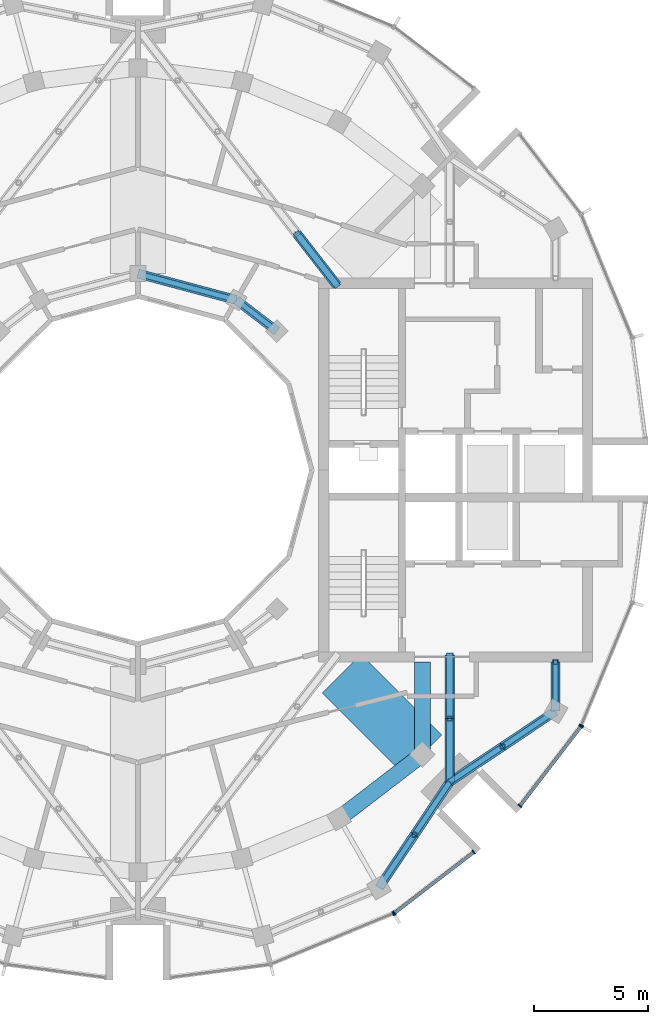
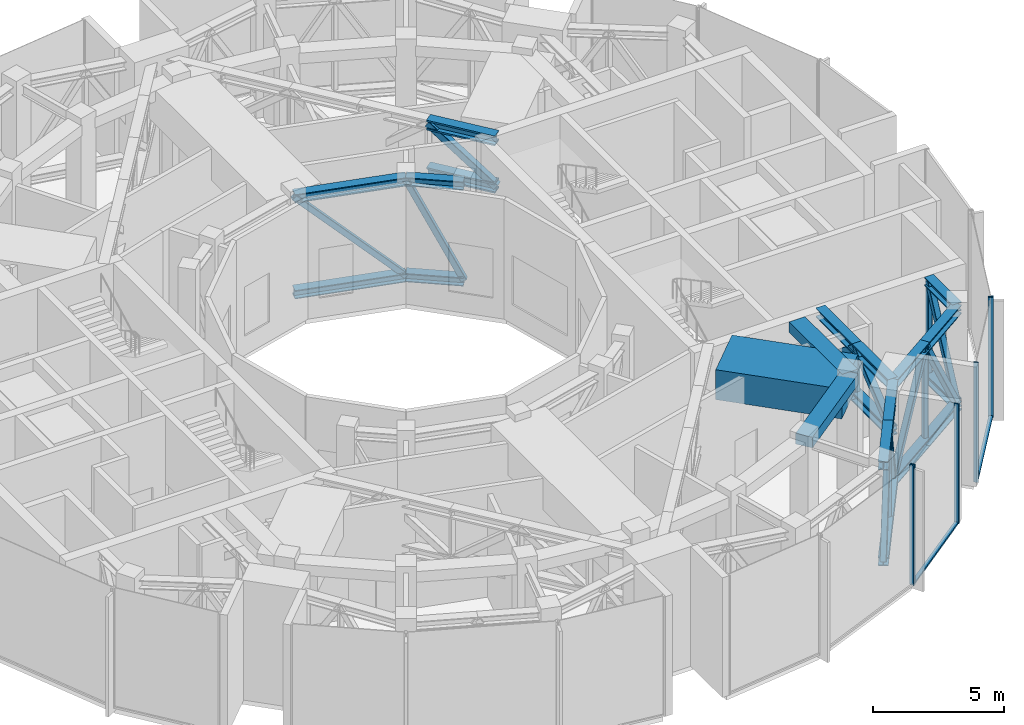
# One storey, part 5 of 17: 42 members, 3 beams, 4 elements without a shape of their own.
"""IFC4 building model written with IfcOpenShell, lengths in metres."""

from ifc_helpers import new_model, si_unit, direction, frame, origin, origin_2d, place, context, subcontext, project, spatial, rectangle, hollow_rectangle, i_section, extrude, material, layer, layer_set, material_profile, profile_set, type_object, element, aggregate, save


model = new_model("IFC4")

# Units and contexts
model_context = context("Model", 3, precision=1e-05, world=origin(), true_north=direction((0.0, 1.0)))
body_context = subcontext(model_context, "Body", "Model", "MODEL_VIEW")
ifc_project = project(units=[si_unit("LENGTHUNIT", "METRE"), si_unit("AREAUNIT", "SQUARE_METRE"), si_unit("VOLUMEUNIT", "CUBIC_METRE"), si_unit("PLANEANGLEUNIT", "RADIAN"), si_unit("MASSUNIT", "GRAM", prefix="KILO")], contexts=[model_context])

# Site, building, storey
site_placement = place(None, origin())
site = spatial("IfcSite", under=ifc_project, at=site_placement, CompositionType="ELEMENT")
building_placement = place(site_placement, origin())
building = spatial("IfcBuilding", under=site, at=building_placement, Name="Torre Brocal", CompositionType="ELEMENT")
storey_placement = place(building_placement, frame((0.0, 0.0, 309.300048828125)))
storey = spatial("IfcBuildingStorey", under=building, at=storey_placement, Name="L71", CompositionType="ELEMENT", Elevation=309.300048828125)

# Members
ifc_material_1 = material(Name="Steel A500 Grade C", Category="steel")
ifc_material_profile_1 = material_profile(ifc_material_1, hollow_rectangle(XDim=0.203125, YDim=0.203125, WallThickness=0.01171875, InnerFilletRadius=0.01171875, OuterFilletRadius=0.023681640625, at=origin_2d()), Name="HSS8X8X1/2")
ifc_profile_set_1 = profile_set([ifc_material_profile_1], Name="Steel A500 Grade C")
member_type_1 = type_object("IfcMemberType", Name="BELT 3 POST HSS8X8X1/2", PredefinedType="POST", material=ifc_profile_set_1)
for number, where, z_axis, x_axis, name in (
    (1, (92.0986328125, 59.039794921875, 0.599365234375), (0.0, 0.0, 1.0), (1.0, 0.0, 0.0), "Member BT3-P17"),
    (2, (95.960205078125, 62.9013671875, 0.599365234375), (0.0, 0.0, 1.0), (1.0, 0.0, 0.0), "Member BT3-P18"),
    (3, (98.273193359375, 66.60009765625, 0.599365234375), (0.0, 0.0, 1.0), (1.0, 0.0, 0.0), "Member BT3-P19"),
):
    element("IfcMember", number, at=place(storey_placement, frame(where, z_axis=z_axis, x_axis=x_axis)), inside=storey, type_object=member_type_1, Name=name, PredefinedType="POST", context=body_context, shape_type="SweptSolid", body=[
        extrude(hollow_rectangle(XDim=0.203125, YDim=0.203125, WallThickness=0.01171875, InnerFilletRadius=0.01171875, OuterFilletRadius=0.023681640625, at=origin_2d()), origin(), (0.0, 0.0, 1.0), 4.481201171875),
    ])

# Curtain wall, member
ifc_material_2 = material(Name="Aluminium and glass", Category="aluminium")
ifc_layer = layer(ifc_material_2, 0.199951171875)
ifc_layer_set = layer_set([ifc_layer], Name="Aluminium and glass")
curtain_wall_type = type_object("IfcCurtainWallType", Name="CW-1 CURTAIN WALL 5600 HIGH", PredefinedType="NOTDEFINED", material=ifc_layer_set)
curtain_wall_1_placement = place(storey_placement, origin())
curtain_wall_1 = element("IfcCurtainWall", 4, at=curtain_wall_1_placement, inside=storey, type_object=curtain_wall_type, Name="CW-1 RUN 20", PredefinedType="NOTDEFINED")
ifc_material_3 = material(Name="Aluminium, dark anodised", Category="aluminium")
ifc_material_profile_2 = material_profile(ifc_material_3, rectangle(XDim=0.199951171875, YDim=0.06005859375, at=origin_2d()), Name="CW-1 MULLION 60X200")
ifc_profile_set_2 = profile_set([ifc_material_profile_2], Name="Aluminium, dark anodised")
member_type_2 = type_object("IfcMemberType", Name="CW-1 MULLION 60X200", PredefinedType="MULLION", material=ifc_profile_set_2)
member_1_placement = place(storey_placement, frame((91.171875, 55.59033203125, 0.0), z_axis=(0.0, 0.0, 1.0), x_axis=(-0.382683432284, 0.923879532545, 0.0)))
member_1 = element("IfcMember", 5, at=member_1_placement, type_object=member_type_2, Name="CW1-2 mullion 2", PredefinedType="MULLION", context=body_context, shape_type="SweptSolid", body=[
    extrude(rectangle(XDim=0.199951171875, YDim=0.06005859375, at=origin_2d()), origin(), (0.0, 0.0, 1.0), 5.599853515625),
])
aggregate(curtain_wall_1, [member_1])

# Curtain wall, members
curtain_wall_2_placement = place(storey_placement, origin())
curtain_wall_2 = element("IfcCurtainWall", 6, at=curtain_wall_2_placement, inside=storey, type_object=curtain_wall_type, Name="CW-1 RUN 21", PredefinedType="NOTDEFINED")
member_2_placement = place(storey_placement, frame((91.223388671875, 55.6201171875, 0.0), z_axis=(0.0, 0.0, 1.0), x_axis=(-0.608761429064, 0.793353340249, 0.0)))
member_2 = element("IfcMember", 7, at=member_2_placement, type_object=member_type_2, Name="CW1-2 mullion 1", PredefinedType="MULLION", context=body_context, shape_type="SweptSolid", body=[
    extrude(rectangle(XDim=0.199951171875, YDim=0.06005859375, at=origin_2d()), origin(), (0.0, 0.0, 1.0), 5.599853515625),
])
member_3_placement = place(storey_placement, frame((94.694580078125, 58.283447265625, 0.0), z_axis=(0.0, 0.0, 1.0), x_axis=(-0.608761429064, 0.793353340249, 0.0)))
member_3 = element("IfcMember", 8, at=member_3_placement, type_object=member_type_2, Name="CW1-2 mullion 2", PredefinedType="MULLION", context=body_context, shape_type="SweptSolid", body=[
    extrude(rectangle(XDim=0.199951171875, YDim=0.06005859375, at=origin_2d()), origin(), (0.0, 0.0, 1.0), 5.599853515625),
])

curtain_wall_3_placement = place(storey_placement, origin())
curtain_wall_3 = element("IfcCurtainWall", 9, at=curtain_wall_3_placement, inside=storey, type_object=curtain_wall_type, Name="CW-1 RUN 22", PredefinedType="NOTDEFINED")
member_4_placement = place(storey_placement, frame((96.716552734375, 60.305419921875, 0.0), z_axis=(0.0, 0.0, 1.0), x_axis=(-0.793353340249, 0.608761429064, 0.0)))
member_4 = element("IfcMember", 10, at=member_4_placement, type_object=member_type_2, Name="CW1-2 mullion 1", PredefinedType="MULLION", context=body_context, shape_type="SweptSolid", body=[
    extrude(rectangle(XDim=0.199951171875, YDim=0.06005859375, at=origin_2d()), origin(), (0.0, 0.0, 1.0), 5.599853515625),
])
member_5_placement = place(storey_placement, frame((99.3798828125, 63.776611328125, 0.0), z_axis=(0.0, 0.0, 1.0), x_axis=(-0.793353340249, 0.608761429064, 0.0)))
member_5 = element("IfcMember", 11, at=member_5_placement, type_object=member_type_2, Name="CW1-2 mullion 2", PredefinedType="MULLION", context=body_context, shape_type="SweptSolid", body=[
    extrude(rectangle(XDim=0.199951171875, YDim=0.06005859375, at=origin_2d()), origin(), (0.0, 0.0, 1.0), 5.599853515625),
])

# Curtain wall, member
curtain_wall_4_placement = place(storey_placement, origin())
curtain_wall_4 = element("IfcCurtainWall", 12, at=curtain_wall_4_placement, inside=storey, type_object=curtain_wall_type, Name="CW-1 RUN 23", PredefinedType="NOTDEFINED")
member_6_placement = place(storey_placement, frame((99.40966796875, 63.828125, 0.0), z_axis=(0.0, 0.0, 1.0), x_axis=(-0.923879532545, 0.382683432284, 0.0)))
member_6 = element("IfcMember", 13, at=member_6_placement, type_object=member_type_2, Name="CW1-2 mullion 1", PredefinedType="MULLION", context=body_context, shape_type="SweptSolid", body=[
    extrude(rectangle(XDim=0.199951171875, YDim=0.06005859375, at=origin_2d()), origin(), (0.0, 0.0, 1.0), 5.599853515625),
])
aggregate(curtain_wall_4, [member_6])

# Member
ifc_material_4 = material(Name="Aluminium, dark anodised", Category="aluminium")
ifc_material_profile_3 = material_profile(ifc_material_4, rectangle(XDim=0.159912109375, YDim=0.080078125, at=origin_2d()), Name="CW-1 TRANSOM 160X80")
ifc_profile_set_3 = profile_set([ifc_material_profile_3], Name="Aluminium, dark anodised")
member_type_3 = type_object("IfcMemberType", Name="CW-1 TRANSOM 160X80", PredefinedType="USERDEFINED", material=ifc_profile_set_3)
member_7_placement = place(storey_placement, frame((91.2470703125, 55.63818359375, 0.0400390625), z_axis=(0.793332201462, 0.608788976677, 0.0), x_axis=(-0.608788976677, 0.793332201462, 0.0)))
member_7 = element("IfcMember", 14, at=member_7_placement, type_object=member_type_3, Name="CW1-2 transom 1.1", ObjectType="TRANSOM", PredefinedType="USERDEFINED", context=body_context, shape_type="SweptSolid", body=[
    extrude(rectangle(XDim=0.159912109375, YDim=0.080078125, at=origin_2d()), origin(), (0.0, 0.0, 1.0), 4.3154296875),
])

aggregate(curtain_wall_2, [member_2, member_3, member_7])

member_8_placement = place(storey_placement, frame((96.734619140625, 60.329345703125, 0.0400390625), z_axis=(0.608788976677, 0.793332201462, 0.0), x_axis=(-0.793332201462, 0.608788976677, 0.0)))
member_8 = element("IfcMember", 15, at=member_8_placement, type_object=member_type_3, Name="CW1-2 transom 1.1", ObjectType="TRANSOM", PredefinedType="USERDEFINED", context=body_context, shape_type="SweptSolid", body=[
    extrude(rectangle(XDim=0.159912109375, YDim=0.080078125, at=origin_2d()), origin(), (0.0, 0.0, 1.0), 4.3154296875),
])

aggregate(curtain_wall_3, [member_4, member_5, member_8])

ifc_material_5 = material(Name="Steel A500 Grade C", Category="steel")
ifc_material_profile_4 = material_profile(ifc_material_5, hollow_rectangle(XDim=0.203125, YDim=0.203125, WallThickness=0.01171875, InnerFilletRadius=0.01171875, OuterFilletRadius=0.023681640625, at=origin_2d()), Name="HSS8X8X1/2")
ifc_profile_set_4 = profile_set([ifc_material_profile_4], Name="Steel A500 Grade C")
member_type_4 = type_object("IfcMemberType", Name="OUTRIGGER 3 POST HSS8X8X1/2", PredefinedType="POST", material=ifc_profile_set_4)
member_9_placement = place(storey_placement, frame((93.647216796875, 64.12646484375, 2.817138671875), z_axis=(0.0, 0.0, 1.0), x_axis=(1.0, 0.0, 0.0)))
element("IfcMember", 16, at=member_9_placement, inside=storey, type_object=member_type_4, Name="Member OT3-P20", PredefinedType="POST", context=body_context, shape_type="SweptSolid", body=[
    extrude(hollow_rectangle(XDim=0.203125, YDim=0.203125, WallThickness=0.01171875, InnerFilletRadius=0.01171875, OuterFilletRadius=0.023681640625, at=origin_2d()), origin(), (0.0, 0.0, 1.0), 2.24560546875),
])

# Beams
ifc_material_6 = material(Name="Concrete C50", Category="concrete")
ifc_material_profile_5 = material_profile(ifc_material_6, rectangle(XDim=0.699951171875, YDim=0.5, at=origin_2d()), Name="RC 700X500")
ifc_profile_set_5 = profile_set([ifc_material_profile_5], Name="Concrete C50")
beam_type_1 = type_object("IfcBeamType", Name="RC BEAM 700X500 C50 TOP 5280", PredefinedType="BEAM", material=ifc_profile_set_5)
beam_1_placement = place(storey_placement, frame((88.800048828125, 59.758056640625, 5.030029296875), z_axis=(0.793358265959, 0.6087550097, 0.0), x_axis=(-0.6087550097, 0.793358265959, 0.0)))
element("IfcBeam", 17, at=beam_1_placement, inside=storey, type_object=beam_type_1, Name="Beam BT-36", PredefinedType="BEAM", context=body_context, shape_type="SweptSolid", body=[
    extrude(rectangle(XDim=0.699951171875, YDim=0.5, at=origin_2d()), origin(), (0.0, 0.0, 1.0), 4.594482421875),
])
beam_2_placement = place(storey_placement, frame((92.445068359375, 62.554931640625, 5.030029296875), z_axis=(0.0, 1.0, 0.0), x_axis=(-1.0, 0.0, 0.0)))
element("IfcBeam", 18, at=beam_2_placement, inside=storey, type_object=beam_type_1, Name="Beam BT-36", PredefinedType="BEAM", context=body_context, shape_type="SweptSolid", body=[
    extrude(rectangle(XDim=0.699951171875, YDim=0.5, at=origin_2d()), origin(), (0.0, 0.0, 1.0), 4.045166015625),
])
ifc_material_7 = material(Name="Concrete C60", Category="concrete")
ifc_material_profile_6 = material_profile(ifc_material_7, rectangle(XDim=2.39990234375, YDim=1.39990234375, at=origin_2d()), Name="RC 2400X1400")
ifc_profile_set_6 = profile_set([ifc_material_profile_6], Name="Concrete C60")
beam_type_2 = type_object("IfcBeamType", Name="RC TRANSFER GIRDER 2400X1400 C60 TOP 5280", PredefinedType="BEAM", material=ifc_profile_set_6)
beam_3_placement = place(storey_placement, frame((88.909423828125, 66.090576171875, 4.579833984375), z_axis=(0.707106781187, -0.707106781187, 0.0), x_axis=(0.707106781187, 0.707106781187, 0.0)))
element("IfcBeam", 19, at=beam_3_placement, inside=storey, type_object=beam_type_2, Name="Beam TG-09", PredefinedType="BEAM", context=body_context, shape_type="SweptSolid", body=[
    extrude(rectangle(XDim=2.39990234375, YDim=1.39990234375, at=origin_2d()), origin(), (0.0, 0.0, 1.0), 5.000244140625),
])

# Members
ifc_material_8 = material(Name="Steel A992", Category="steel")
ifc_material_profile_7 = material_profile(ifc_material_8, i_section(OverallWidth=0.4013671875, OverallDepth=0.398681640625, WebThickness=0.02490234375, FlangeThickness=0.03955078125, at=origin_2d()), Name="W14X211")
ifc_profile_set_7 = profile_set([ifc_material_profile_7], Name="Steel A992")
member_type_5 = type_object("IfcMemberType", Name="TRUSS BOTTOM CHORD W14X211", PredefinedType="CHORD", material=ifc_profile_set_7)
for number, where, z_axis, x_axis, name in (
    (20, (90.550048828125, 56.726806640625, 0.599365234375), (0.556338604247, 0.830955689206, 0.0), (-0.830955689206, 0.556338604247, 0.0), "Member BT3-C62"),
    (21, (92.0986328125, 59.039794921875, 0.599365234375), (0.556338604247, 0.830955689206, 0.0), (-0.830955689206, 0.556338604247, 0.0), "Member BT3-C64"),
    (22, (93.647216796875, 61.352783203125, 0.599365234375), (0.830955689206, 0.556338604247, 0.0), (-0.556338604247, 0.830955689206, 0.0), "Member BT3-C66"),
    (23, (95.960205078125, 62.9013671875, 0.599365234375), (0.830955689206, 0.556338604247, 0.0), (-0.556338604247, 0.830955689206, 0.0), "Member BT3-C68"),
):
    element("IfcMember", number, at=place(storey_placement, frame(where, z_axis=z_axis, x_axis=x_axis)), inside=storey, type_object=member_type_5, Name=name, PredefinedType="CHORD", context=body_context, shape_type="SweptSolid", body=[
        extrude(i_section(OverallWidth=0.4013671875, OverallDepth=0.398681640625, WebThickness=0.02490234375, FlangeThickness=0.03955078125, at=origin_2d()), origin(), (0.0, 0.0, 1.0), 2.783447265625),
    ])
member_10_placement = place(storey_placement, frame((98.273193359375, 64.449951171875, 0.599365234375), z_axis=(0.0, 1.0, 0.0), x_axis=(-1.0, 0.0, 0.0)))
element("IfcMember", 24, at=member_10_placement, inside=storey, type_object=member_type_5, Name="Member BT3-C70", PredefinedType="CHORD", context=body_context, shape_type="SweptSolid", body=[
    extrude(i_section(OverallWidth=0.4013671875, OverallDepth=0.398681640625, WebThickness=0.02490234375, FlangeThickness=0.03955078125, at=origin_2d()), origin(), (0.0, 0.0, 1.0), 2.150146484375),
])
member_11_placement = place(storey_placement, frame((86.0810546875, 81.0810546875, 0.599365234375), z_axis=(-0.793334976885, 0.608785359918, 0.0), x_axis=(-0.608785359918, -0.793334976885, 0.0)))
element("IfcMember", 25, at=member_11_placement, inside=storey, type_object=member_type_5, Name="Member BT3-C74", PredefinedType="CHORD", context=body_context, shape_type="SweptSolid", body=[
    extrude(i_section(OverallWidth=0.4013671875, OverallDepth=0.398681640625, WebThickness=0.02490234375, FlangeThickness=0.03955078125, at=origin_2d()), origin(), (0.0, 0.0, 1.0), 2.244873046875),
])
member_12_placement = place(storey_placement, frame((84.300048828125, 82.44775390625, 0.599365234375), z_axis=(-0.965917450527, 0.25885030185, 0.0), x_axis=(-0.25885030185, -0.965917450527, 0.0)))
element("IfcMember", 26, at=member_12_placement, inside=storey, type_object=member_type_5, Name="Member BT3-C76", PredefinedType="CHORD", context=body_context, shape_type="SweptSolid", body=[
    extrude(i_section(OverallWidth=0.4013671875, OverallDepth=0.398681640625, WebThickness=0.02490234375, FlangeThickness=0.03955078125, at=origin_2d()), origin(), (0.0, 0.0, 1.0), 4.45166015625),
])
ifc_material_9 = material(Name="Steel A992", Category="steel")
ifc_material_profile_8 = material_profile(ifc_material_9, i_section(OverallWidth=0.41162109375, OverallDepth=0.434326171875, WebThickness=0.035888671875, FlangeThickness=0.057373046875, at=origin_2d()), Name="W14X311")
ifc_profile_set_8 = profile_set([ifc_material_profile_8], Name="Steel A992")
member_type_6 = type_object("IfcMemberType", Name="TRUSS BOTTOM CHORD W14X311", PredefinedType="CHORD", material=ifc_profile_set_8)
member_13_placement = place(storey_placement, frame((93.647216796875, 66.89990234375, 2.817138671875), z_axis=(0.0, -1.0, 0.0), x_axis=(1.0, 0.0, 0.0)))
element("IfcMember", 27, at=member_13_placement, inside=storey, type_object=member_type_6, Name="Member OT3-C54", PredefinedType="CHORD", context=body_context, shape_type="SweptSolid", body=[
    extrude(i_section(OverallWidth=0.41162109375, OverallDepth=0.434326171875, WebThickness=0.035888671875, FlangeThickness=0.057373046875, at=origin_2d()), origin(), (0.0, 0.0, 1.0), 2.7734375),
])
member_14_placement = place(storey_placement, frame((93.647216796875, 64.12646484375, 2.817138671875), z_axis=(0.0, -1.0, 0.0), x_axis=(1.0, 0.0, 0.0)))
element("IfcMember", 28, at=member_14_placement, inside=storey, type_object=member_type_6, Name="Member OT3-C56", PredefinedType="CHORD", context=body_context, shape_type="SweptSolid", body=[
    extrude(i_section(OverallWidth=0.41162109375, OverallDepth=0.434326171875, WebThickness=0.035888671875, FlangeThickness=0.057373046875, at=origin_2d()), origin(), (0.0, 0.0, 1.0), 2.773681640625),
])
ifc_material_10 = material(Name="Steel A992", Category="steel")
ifc_material_profile_9 = material_profile(ifc_material_10, i_section(OverallWidth=0.421630859375, OverallDepth=0.46484375, WebThickness=0.044921875, FlangeThickness=0.072509765625, at=origin_2d()), Name="W14X398")
ifc_profile_set_9 = profile_set([ifc_material_profile_9], Name="Steel A992")
member_type_7 = type_object("IfcMemberType", Name="TRUSS BOTTOM CHORD W14X398", PredefinedType="CHORD", material=ifc_profile_set_9)
member_15_placement = place(storey_placement, frame((88.699951171875, 83.10009765625, 2.832275390625), z_axis=(-0.613451858445, 0.789732117474, 0.0), x_axis=(-0.789732117474, -0.613451858445, 0.0)))
element("IfcMember", 29, at=member_15_placement, inside=storey, type_object=member_type_7, Name="Member OT3-C06", PredefinedType="CHORD", context=body_context, shape_type="SweptSolid", body=[
    extrude(i_section(OverallWidth=0.421630859375, OverallDepth=0.46484375, WebThickness=0.044921875, FlangeThickness=0.072509765625, at=origin_2d()), origin(), (0.0, 0.0, 1.0), 2.83642578125),
])
ifc_material_11 = material(Name="Steel A500 Grade C", Category="steel")
ifc_material_profile_10 = material_profile(ifc_material_11, hollow_rectangle(XDim=0.25390625, YDim=0.25390625, WallThickness=0.01171875, InnerFilletRadius=0.01171875, OuterFilletRadius=0.023681640625, at=origin_2d()), Name="HSS10X10X1/2")
ifc_profile_set_10 = profile_set([ifc_material_profile_10], Name="Steel A500 Grade C")
member_type_8 = type_object("IfcMemberType", Name="TRUSS DIAGONAL HSS10X10X1/2", PredefinedType="BRACE", material=ifc_profile_set_10)
for number, where, z_axis, x_axis, name in (
    (30, (90.550048828125, 56.726806640625, 0.599365234375), (0.293551613622, 0.438453095926, 0.849462378692), (-0.830955689206, 0.556338604247, 0.0), "Member BT3-D31"),
    (31, (92.0986328125, 59.039794921875, 5.08056640625), (0.293551613622, 0.438453095926, -0.849462378692), (-0.830955689206, 0.556338604247, 0.0), "Member BT3-D32"),
    (32, (93.647216796875, 61.352783203125, 0.599365234375), (0.438453095926, 0.293551613622, 0.849462378692), (-0.556338604247, 0.830955689206, 0.0), "Member BT3-D33"),
    (33, (95.960205078125, 62.9013671875, 5.08056640625), (0.438453095926, 0.293551613622, -0.849462378692), (-0.556338604247, 0.830955689206, 0.0), "Member BT3-D34"),
):
    element("IfcMember", number, at=place(storey_placement, frame(where, z_axis=z_axis, x_axis=x_axis)), inside=storey, type_object=member_type_8, Name=name, PredefinedType="BRACE", context=body_context, shape_type="SweptSolid", body=[
        extrude(hollow_rectangle(XDim=0.25390625, YDim=0.25390625, WallThickness=0.01171875, InnerFilletRadius=0.01171875, OuterFilletRadius=0.023681640625, at=origin_2d()), origin(), (0.0, 0.0, 1.0), 5.275390625),
    ])
member_16_placement = place(storey_placement, frame((98.273193359375, 64.449951171875, 0.599365234375), z_axis=(0.0, 0.432595329375, 0.901588199237), x_axis=(-1.0, 0.0, 0.0)))
element("IfcMember", 34, at=member_16_placement, inside=storey, type_object=member_type_8, Name="Member BT3-D35", PredefinedType="BRACE", context=body_context, shape_type="SweptSolid", body=[
    extrude(hollow_rectangle(XDim=0.25390625, YDim=0.25390625, WallThickness=0.01171875, InnerFilletRadius=0.01171875, OuterFilletRadius=0.023681640625, at=origin_2d()), origin(), (0.0, 0.0, 1.0), 4.970458984375),
])
member_17_placement = place(storey_placement, frame((86.0810546875, 81.0810546875, 0.599365234375), z_axis=(-0.355342192665, 0.272680684652, 0.894078950837), x_axis=(-0.608785359918, -0.793334976885, 0.0)))
element("IfcMember", 35, at=member_17_placement, inside=storey, type_object=member_type_8, Name="Member BT3-D37", PredefinedType="BRACE", context=body_context, shape_type="SweptSolid", body=[
    extrude(hollow_rectangle(XDim=0.25390625, YDim=0.25390625, WallThickness=0.01171875, InnerFilletRadius=0.01171875, OuterFilletRadius=0.023681640625, at=origin_2d()), origin(), (0.0, 0.0, 1.0), 5.01220703125),
])
member_18_placement = place(storey_placement, frame((84.300048828125, 82.44775390625, 0.599365234375), z_axis=(-0.680753322076, 0.182430913541, 0.709432080094), x_axis=(-0.25885030185, -0.965917450527, 0.0)))
element("IfcMember", 36, at=member_18_placement, inside=storey, type_object=member_type_8, Name="Member BT3-D38", PredefinedType="BRACE", context=body_context, shape_type="SweptSolid", body=[
    extrude(hollow_rectangle(XDim=0.25390625, YDim=0.25390625, WallThickness=0.01171875, InnerFilletRadius=0.01171875, OuterFilletRadius=0.023681640625, at=origin_2d()), origin(), (0.0, 0.0, 1.0), 6.316650390625),
])
ifc_material_12 = material(Name="Steel A500 Grade C", Category="steel")
ifc_material_profile_11 = material_profile(ifc_material_12, hollow_rectangle(XDim=0.3046875, YDim=0.3046875, WallThickness=0.014892578125, InnerFilletRadius=0.014892578125, OuterFilletRadius=0.029541015625, at=origin_2d()), Name="HSS12X12X5/8")
ifc_profile_set_11 = profile_set([ifc_material_profile_11], Name="Steel A500 Grade C")
member_type_9 = type_object("IfcMemberType", Name="TRUSS DIAGONAL HSS12X12X5/8", PredefinedType="BRACE", material=ifc_profile_set_11)
member_19_placement = place(storey_placement, frame((88.699951171875, 83.10009765625, 2.832275390625), z_axis=(-0.483464594084, 0.622391981299, 0.615540581832), x_axis=(-0.789732117474, -0.613451858445, 0.0)))
element("IfcMember", 37, at=member_19_placement, inside=storey, type_object=member_type_9, Name="Member OT3-D03", PredefinedType="BRACE", context=body_context, shape_type="SweptSolid", body=[
    extrude(hollow_rectangle(XDim=0.3046875, YDim=0.3046875, WallThickness=0.014892578125, InnerFilletRadius=0.014892578125, OuterFilletRadius=0.029541015625, at=origin_2d()), origin(), (0.0, 0.0, 1.0), 3.59912109375),
])
member_20_placement = place(storey_placement, frame((93.647216796875, 66.89990234375, 2.817138671875), z_axis=(0.0, -0.777184325305, 0.62927301269), x_axis=(1.0, 0.0, 0.0)))
element("IfcMember", 38, at=member_20_placement, inside=storey, type_object=member_type_9, Name="Member OT3-D27", PredefinedType="BRACE", context=body_context, shape_type="SweptSolid", body=[
    extrude(hollow_rectangle(XDim=0.3046875, YDim=0.3046875, WallThickness=0.014892578125, InnerFilletRadius=0.014892578125, OuterFilletRadius=0.029541015625, at=origin_2d()), origin(), (0.0, 0.0, 1.0), 3.568603515625),
])
member_21_placement = place(storey_placement, frame((93.647216796875, 64.12646484375, 5.062744140625), z_axis=(0.0, -0.777211414075, -0.629239555203), x_axis=(1.0, 0.0, 0.0)))
element("IfcMember", 39, at=member_21_placement, inside=storey, type_object=member_type_9, Name="Member OT3-D28", PredefinedType="BRACE", context=body_context, shape_type="SweptSolid", body=[
    extrude(hollow_rectangle(XDim=0.3046875, YDim=0.3046875, WallThickness=0.014892578125, InnerFilletRadius=0.014892578125, OuterFilletRadius=0.029541015625, at=origin_2d()), origin(), (0.0, 0.0, 1.0), 3.56884765625),
])
ifc_material_13 = material(Name="Steel A992", Category="steel")
ifc_material_profile_12 = material_profile(ifc_material_13, i_section(OverallWidth=0.4013671875, OverallDepth=0.398681640625, WebThickness=0.02490234375, FlangeThickness=0.03955078125, at=origin_2d()), Name="W14X211")
ifc_profile_set_12 = profile_set([ifc_material_profile_12], Name="Steel A992")
member_type_10 = type_object("IfcMemberType", Name="TRUSS TOP CHORD W14X211", PredefinedType="CHORD", material=ifc_profile_set_12)
for number, where, z_axis, x_axis, name in (
    (40, (90.550048828125, 56.726806640625, 5.08056640625), (0.556338604247, 0.830955689206, 0.0), (-0.830955689206, 0.556338604247, 0.0), "Member BT3-C61"),
    (41, (92.0986328125, 59.039794921875, 5.08056640625), (0.556338604247, 0.830955689206, 0.0), (-0.830955689206, 0.556338604247, 0.0), "Member BT3-C63"),
    (42, (93.647216796875, 61.352783203125, 5.08056640625), (0.830955689206, 0.556338604247, 0.0), (-0.556338604247, 0.830955689206, 0.0), "Member BT3-C65"),
    (43, (95.960205078125, 62.9013671875, 5.08056640625), (0.830955689206, 0.556338604247, 0.0), (-0.556338604247, 0.830955689206, 0.0), "Member BT3-C67"),
):
    element("IfcMember", number, at=place(storey_placement, frame(where, z_axis=z_axis, x_axis=x_axis)), inside=storey, type_object=member_type_10, Name=name, PredefinedType="CHORD", context=body_context, shape_type="SweptSolid", body=[
        extrude(i_section(OverallWidth=0.4013671875, OverallDepth=0.398681640625, WebThickness=0.02490234375, FlangeThickness=0.03955078125, at=origin_2d()), origin(), (0.0, 0.0, 1.0), 2.783447265625),
    ])
member_22_placement = place(storey_placement, frame((98.273193359375, 64.449951171875, 5.08056640625), z_axis=(0.0, 1.0, 0.0), x_axis=(-1.0, 0.0, 0.0)))
element("IfcMember", 44, at=member_22_placement, inside=storey, type_object=member_type_10, Name="Member BT3-C69", PredefinedType="CHORD", context=body_context, shape_type="SweptSolid", body=[
    extrude(i_section(OverallWidth=0.4013671875, OverallDepth=0.398681640625, WebThickness=0.02490234375, FlangeThickness=0.03955078125, at=origin_2d()), origin(), (0.0, 0.0, 1.0), 2.150146484375),
])
member_23_placement = place(storey_placement, frame((86.0810546875, 81.0810546875, 5.08056640625), z_axis=(-0.793334976885, 0.608785359918, 0.0), x_axis=(-0.608785359918, -0.793334976885, 0.0)))
element("IfcMember", 45, at=member_23_placement, inside=storey, type_object=member_type_10, Name="Member BT3-C73", PredefinedType="CHORD", context=body_context, shape_type="SweptSolid", body=[
    extrude(i_section(OverallWidth=0.4013671875, OverallDepth=0.398681640625, WebThickness=0.02490234375, FlangeThickness=0.03955078125, at=origin_2d()), origin(), (0.0, 0.0, 1.0), 2.244873046875),
])
member_24_placement = place(storey_placement, frame((84.300048828125, 82.44775390625, 5.08056640625), z_axis=(-0.965917450527, 0.25885030185, 0.0), x_axis=(-0.25885030185, -0.965917450527, 0.0)))
element("IfcMember", 46, at=member_24_placement, inside=storey, type_object=member_type_10, Name="Member BT3-C75", PredefinedType="CHORD", context=body_context, shape_type="SweptSolid", body=[
    extrude(i_section(OverallWidth=0.4013671875, OverallDepth=0.398681640625, WebThickness=0.02490234375, FlangeThickness=0.03955078125, at=origin_2d()), origin(), (0.0, 0.0, 1.0), 4.45166015625),
])
ifc_material_14 = material(Name="Steel A992", Category="steel")
ifc_material_profile_13 = material_profile(ifc_material_14, i_section(OverallWidth=0.41162109375, OverallDepth=0.434326171875, WebThickness=0.035888671875, FlangeThickness=0.057373046875, at=origin_2d()), Name="W14X311")
ifc_profile_set_13 = profile_set([ifc_material_profile_13], Name="Steel A992")
member_type_11 = type_object("IfcMemberType", Name="TRUSS TOP CHORD W14X311", PredefinedType="CHORD", material=ifc_profile_set_13)
member_25_placement = place(storey_placement, frame((93.647216796875, 66.89990234375, 5.062744140625), z_axis=(0.0, -1.0, 0.0), x_axis=(1.0, 0.0, 0.0)))
element("IfcMember", 47, at=member_25_placement, inside=storey, type_object=member_type_11, Name="Member OT3-C53", PredefinedType="CHORD", context=body_context, shape_type="SweptSolid", body=[
    extrude(i_section(OverallWidth=0.41162109375, OverallDepth=0.434326171875, WebThickness=0.035888671875, FlangeThickness=0.057373046875, at=origin_2d()), origin(), (0.0, 0.0, 1.0), 2.7734375),
])
member_26_placement = place(storey_placement, frame((93.647216796875, 64.12646484375, 5.062744140625), z_axis=(0.0, -1.0, 0.0), x_axis=(1.0, 0.0, 0.0)))
element("IfcMember", 48, at=member_26_placement, inside=storey, type_object=member_type_11, Name="Member OT3-C55", PredefinedType="CHORD", context=body_context, shape_type="SweptSolid", body=[
    extrude(i_section(OverallWidth=0.41162109375, OverallDepth=0.434326171875, WebThickness=0.035888671875, FlangeThickness=0.057373046875, at=origin_2d()), origin(), (0.0, 0.0, 1.0), 2.773681640625),
])
ifc_material_15 = material(Name="Steel A992", Category="steel")
ifc_material_profile_14 = material_profile(ifc_material_15, i_section(OverallWidth=0.421630859375, OverallDepth=0.46484375, WebThickness=0.044921875, FlangeThickness=0.072509765625, at=origin_2d()), Name="W14X398")
ifc_profile_set_14 = profile_set([ifc_material_profile_14], Name="Steel A992")
member_type_12 = type_object("IfcMemberType", Name="TRUSS TOP CHORD W14X398", PredefinedType="CHORD", material=ifc_profile_set_14)
member_27_placement = place(storey_placement, frame((88.699951171875, 83.10009765625, 5.047607421875), z_axis=(-0.613451858445, 0.789732117474, 0.0), x_axis=(-0.789732117474, -0.613451858445, 0.0)))
element("IfcMember", 49, at=member_27_placement, inside=storey, type_object=member_type_12, Name="Member OT3-C05", PredefinedType="CHORD", context=body_context, shape_type="SweptSolid", body=[
    extrude(i_section(OverallWidth=0.421630859375, OverallDepth=0.46484375, WebThickness=0.044921875, FlangeThickness=0.072509765625, at=origin_2d()), origin(), (0.0, 0.0, 1.0), 2.83642578125),
])

save(model, "model.ifc")
